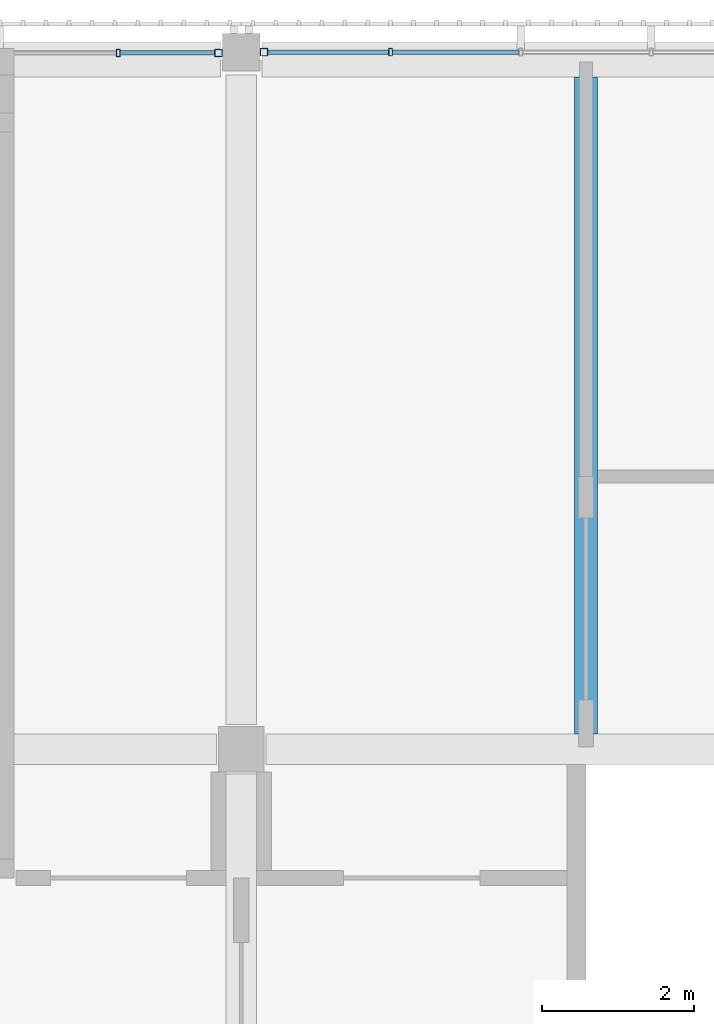
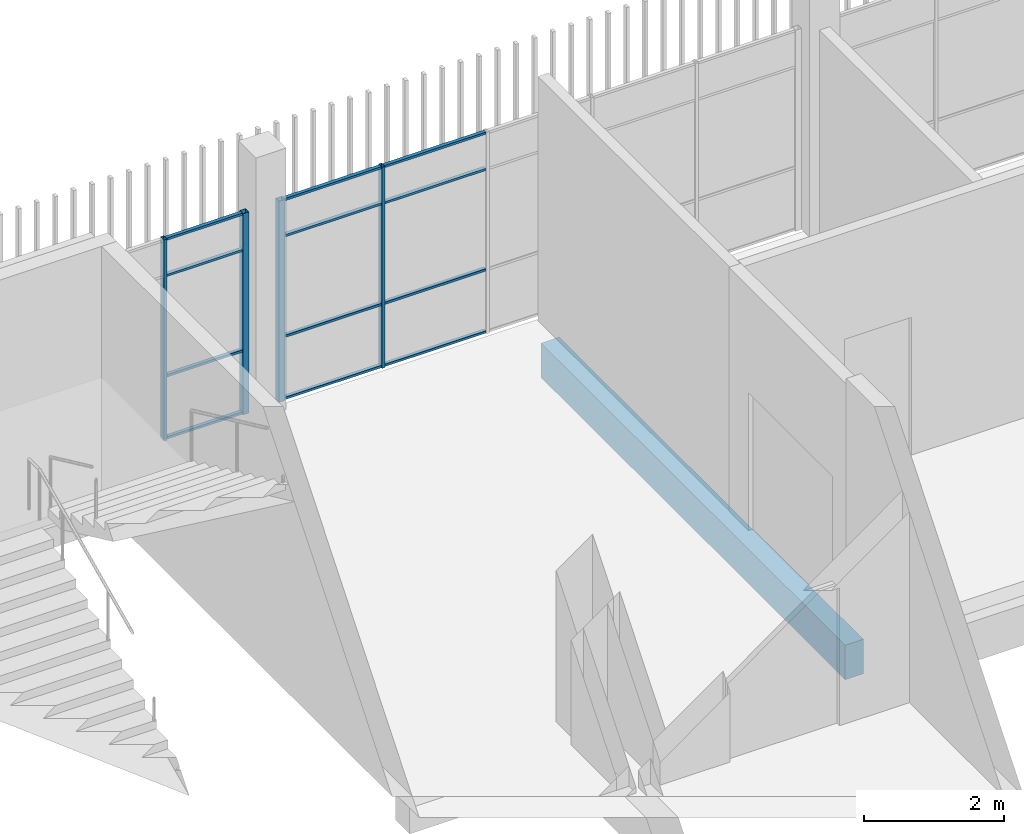
# One storey, part 32 of 124: 16 members, 1 beam, 2 elements without a shape of their own.
"""IFC4 building model written with IfcOpenShell, lengths in metres."""

from ifc_helpers import new_model, si_unit, direction, frame, origin, origin_2d, place, context, subcontext, project, spatial, rectangle, hollow_rectangle, extrude, material, layer, layer_set, material_profile, profile_set, type_object, element, aggregate, save


model = new_model("IFC4")

# Units and contexts
model_context = context("Model", 3, precision=1e-05, world=origin(), true_north=direction((0.0, 1.0)))
body_context = subcontext(model_context, "Body", "Model", "MODEL_VIEW")
ifc_project = project(units=[si_unit("LENGTHUNIT", "METRE"), si_unit("AREAUNIT", "SQUARE_METRE"), si_unit("VOLUMEUNIT", "CUBIC_METRE"), si_unit("PLANEANGLEUNIT", "RADIAN"), si_unit("MASSUNIT", "GRAM", prefix="KILO")], contexts=[model_context])

# Site, building, storey
site_placement = place(None, origin())
site = spatial("IfcSite", under=ifc_project, at=site_placement, CompositionType="ELEMENT")
building_placement = place(site_placement, origin())
building = spatial("IfcBuilding", under=site, at=building_placement, Name="Shirokan Park Arena", CompositionType="ELEMENT")
storey_placement = place(building_placement, frame((0.0, 0.0, 20.02001953125)))
storey = spatial("IfcBuildingStorey", under=building, at=storey_placement, Name="L04", CompositionType="ELEMENT", Elevation=20.02001953125)

# Curtain wall, member
ifc_material_1 = material(Name="Steel and glass curtain wall", Category="steel")
ifc_layer_1 = layer(ifc_material_1, 0.10009765625)
ifc_layer_set_1 = layer_set([ifc_layer_1], Name="Steel and glass curtain wall 100 mm")
curtain_wall_type_1 = type_object("IfcCurtainWallType", Name="Curtain wall sheltered bay 100", PredefinedType="NOTDEFINED", material=ifc_layer_set_1)
curtain_wall_1_placement = place(storey_placement, origin())
curtain_wall_1 = element("IfcCurtainWall", 1, at=curtain_wall_1_placement, inside=storey, type_object=curtain_wall_type_1, Name="Curtain wall north bay 12 L04", PredefinedType="NOTDEFINED")
ifc_material_2 = material(Name="Steel S355", Category="steel")
ifc_material_profile_1 = material_profile(ifc_material_2, hollow_rectangle(XDim=0.10009765625, YDim=0.10009765625, WallThickness=0.006103515625, at=origin_2d()), Name="RHS 100x100x6")
ifc_profile_set_1 = profile_set([ifc_material_profile_1], Name="Steel S355")
member_type_1 = type_object("IfcMemberType", Name="Mullion RHS 100x100x6", PredefinedType="MULLION", material=ifc_profile_set_1)
member_1_placement = place(storey_placement, frame((36.699951171875, 109.300048828125, 0.0), z_axis=(0.0, 0.0, 1.0), x_axis=(0.0, -1.0, 0.0)))
member_1 = element("IfcMember", 2, at=member_1_placement, type_object=member_type_1, Name="CW2 mullion 6", PredefinedType="MULLION", context=body_context, shape_type="SweptSolid", body=[
    extrude(hollow_rectangle(XDim=0.10009765625, YDim=0.10009765625, WallThickness=0.006103515625, at=origin_2d()), origin(), (0.0, 0.0, 1.0), 3.5),
])

ifc_layer_2 = layer(ifc_material_1, 0.1201171875)
ifc_layer_set_2 = layer_set([ifc_layer_2], Name="Steel and glass curtain wall 120 mm")
curtain_wall_type_2 = type_object("IfcCurtainWallType", Name="Curtain wall corner block side bay 120", PredefinedType="NOTDEFINED", material=ifc_layer_set_2)
curtain_wall_2_placement = place(storey_placement, origin())
curtain_wall_2 = element("IfcCurtainWall", 3, at=curtain_wall_2_placement, inside=storey, type_object=curtain_wall_type_2, Name="Curtain wall north bay 13 L04", PredefinedType="NOTDEFINED")
member_2_placement = place(storey_placement, frame((36.10009765625, 109.2900390625, 0.0), z_axis=(0.0, 0.0, 1.0), x_axis=(0.0, -1.0, 0.0)))
member_2 = element("IfcMember", 4, at=member_2_placement, type_object=member_type_1, Name="CW3 mullion 1", PredefinedType="MULLION", context=body_context, shape_type="SweptSolid", body=[
    extrude(hollow_rectangle(XDim=0.10009765625, YDim=0.10009765625, WallThickness=0.006103515625, at=origin_2d()), origin(), (0.0, 0.0, 1.0), 3.5),
])

# Member
ifc_material_profile_2 = material_profile(ifc_material_2, hollow_rectangle(XDim=0.10009765625, YDim=0.050048828125, WallThickness=0.0048828125, at=origin_2d()), Name="RHS 100x50x5")
ifc_profile_set_2 = profile_set([ifc_material_profile_2], Name="Steel S355")
member_type_2 = type_object("IfcMemberType", Name="Mullion RHS 100x50x5", PredefinedType="MULLION", material=ifc_profile_set_2)
member_3_placement = place(storey_placement, frame((38.3701171875, 109.300048828125, 0.0), z_axis=(0.0, 0.0, 1.0), x_axis=(0.0, -1.0, 0.0)))
member_3 = element("IfcMember", 5, at=member_3_placement, type_object=member_type_2, Name="CW2 mullion 5", PredefinedType="MULLION", context=body_context, shape_type="SweptSolid", body=[
    extrude(hollow_rectangle(XDim=0.10009765625, YDim=0.050048828125, WallThickness=0.0048828125, at=origin_2d()), origin(), (0.0, 0.0, 1.0), 3.5),
])

member_4_placement = place(storey_placement, frame((34.77490234375, 109.2900390625, 0.0), z_axis=(0.0, 0.0, 1.0), x_axis=(0.0, -1.0, 0.0)))
member_4 = element("IfcMember", 6, at=member_4_placement, type_object=member_type_2, Name="CW3 mullion 2", PredefinedType="MULLION", context=body_context, shape_type="SweptSolid", body=[
    extrude(hollow_rectangle(XDim=0.10009765625, YDim=0.050048828125, WallThickness=0.0048828125, at=origin_2d()), origin(), (0.0, 0.0, 1.0), 3.5),
])

# Beam
ifc_material_3 = material(Name="Concrete C35", Category="concrete")
ifc_material_profile_3 = material_profile(ifc_material_3, rectangle(XDim=0.300048828125, YDim=0.60009765625, at=origin_2d()), Name="300x600")
ifc_profile_set_3 = profile_set([ifc_material_profile_3], Name="Concrete C35")
beam_type = type_object("IfcBeamType", Name="RC joist 300x600", PredefinedType="JOIST", material=ifc_profile_set_3)
beam_placement = place(storey_placement, frame((40.949951171875, 100.300048828125, -0.550048828125), z_axis=(0.0, 1.0, 0.0), x_axis=(-1.0, 0.0, 0.0)))
element("IfcBeam", 7, at=beam_placement, inside=storey, type_object=beam_type, Name="Joist 6M L04", PredefinedType="JOIST", context=body_context, shape_type="SweptSolid", body=[
    extrude(rectangle(XDim=0.300048828125, YDim=0.60009765625, at=origin_2d()), origin(), (0.0, 0.0, 1.0), 8.675048828125),
])

# Member
ifc_material_profile_4 = material_profile(ifc_material_2, hollow_rectangle(XDim=0.06005859375, YDim=0.0400390625, WallThickness=0.00390625, at=origin_2d()), Name="RHS 60x40x4")
ifc_profile_set_4 = profile_set([ifc_material_profile_4], Name="Steel S355")
member_type_3 = type_object("IfcMemberType", Name="Transom RHS 60x40x4", PredefinedType="MULLION", material=ifc_profile_set_4)
member_5_placement = place(storey_placement, frame((40.06494140625, 109.300048828125, 0.02001953125), z_axis=(-1.0, 0.0, 0.0), x_axis=(0.0, -1.0, 0.0)))
member_5 = element("IfcMember", 8, at=member_5_placement, type_object=member_type_3, Name="CW2 transom 4.1", PredefinedType="MULLION", context=body_context, shape_type="SweptSolid", body=[
    extrude(hollow_rectangle(XDim=0.06005859375, YDim=0.0400390625, WallThickness=0.00390625, at=origin_2d()), origin(), (0.0, 0.0, 1.0), 1.669921875),
])

member_6_placement = place(storey_placement, frame((40.06494140625, 109.300048828125, 1.10009765625), z_axis=(-1.0, 0.0, 0.0), x_axis=(0.0, -1.0, 0.0)))
member_6 = element("IfcMember", 9, at=member_6_placement, type_object=member_type_3, Name="CW2 transom 4.2", PredefinedType="MULLION", context=body_context, shape_type="SweptSolid", body=[
    extrude(hollow_rectangle(XDim=0.06005859375, YDim=0.0400390625, WallThickness=0.00390625, at=origin_2d()), origin(), (0.0, 0.0, 1.0), 1.669921875),
])

member_7_placement = place(storey_placement, frame((40.06494140625, 109.300048828125, 2.85009765625), z_axis=(-1.0, 0.0, 0.0), x_axis=(0.0, -1.0, 0.0)))
member_7 = element("IfcMember", 10, at=member_7_placement, type_object=member_type_3, Name="CW2 transom 4.3", PredefinedType="MULLION", context=body_context, shape_type="SweptSolid", body=[
    extrude(hollow_rectangle(XDim=0.06005859375, YDim=0.0400390625, WallThickness=0.00390625, at=origin_2d()), origin(), (0.0, 0.0, 1.0), 1.669921875),
])

member_8_placement = place(storey_placement, frame((40.06494140625, 109.300048828125, 3.47998046875), z_axis=(-1.0, 0.0, 0.0), x_axis=(0.0, -1.0, 0.0)))
member_8 = element("IfcMember", 11, at=member_8_placement, type_object=member_type_3, Name="CW2 transom 4.4", PredefinedType="MULLION", context=body_context, shape_type="SweptSolid", body=[
    extrude(hollow_rectangle(XDim=0.06005859375, YDim=0.0400390625, WallThickness=0.00390625, at=origin_2d()), origin(), (0.0, 0.0, 1.0), 1.669921875),
])

member_9_placement = place(storey_placement, frame((38.344970703125, 109.300048828125, 0.02001953125), z_axis=(-1.0, 0.0, 0.0), x_axis=(0.0, -1.0, 0.0)))
member_9 = element("IfcMember", 12, at=member_9_placement, type_object=member_type_3, Name="CW2 transom 5.1", PredefinedType="MULLION", context=body_context, shape_type="SweptSolid", body=[
    extrude(hollow_rectangle(XDim=0.06005859375, YDim=0.0400390625, WallThickness=0.00390625, at=origin_2d()), origin(), (0.0, 0.0, 1.0), 1.594970703125),
])

member_10_placement = place(storey_placement, frame((38.344970703125, 109.300048828125, 1.10009765625), z_axis=(-1.0, 0.0, 0.0), x_axis=(0.0, -1.0, 0.0)))
member_10 = element("IfcMember", 13, at=member_10_placement, type_object=member_type_3, Name="CW2 transom 5.2", PredefinedType="MULLION", context=body_context, shape_type="SweptSolid", body=[
    extrude(hollow_rectangle(XDim=0.06005859375, YDim=0.0400390625, WallThickness=0.00390625, at=origin_2d()), origin(), (0.0, 0.0, 1.0), 1.594970703125),
])

member_11_placement = place(storey_placement, frame((38.344970703125, 109.300048828125, 2.85009765625), z_axis=(-1.0, 0.0, 0.0), x_axis=(0.0, -1.0, 0.0)))
member_11 = element("IfcMember", 14, at=member_11_placement, type_object=member_type_3, Name="CW2 transom 5.3", PredefinedType="MULLION", context=body_context, shape_type="SweptSolid", body=[
    extrude(hollow_rectangle(XDim=0.06005859375, YDim=0.0400390625, WallThickness=0.00390625, at=origin_2d()), origin(), (0.0, 0.0, 1.0), 1.594970703125),
])

member_12_placement = place(storey_placement, frame((38.344970703125, 109.300048828125, 3.47998046875), z_axis=(-1.0, 0.0, 0.0), x_axis=(0.0, -1.0, 0.0)))
member_12 = element("IfcMember", 15, at=member_12_placement, type_object=member_type_3, Name="CW2 transom 5.4", PredefinedType="MULLION", context=body_context, shape_type="SweptSolid", body=[
    extrude(hollow_rectangle(XDim=0.06005859375, YDim=0.0400390625, WallThickness=0.00390625, at=origin_2d()), origin(), (0.0, 0.0, 1.0), 1.594970703125),
])

aggregate(curtain_wall_1, [member_3, member_1, member_5, member_6, member_7, member_8, member_9, member_10, member_11, member_12])

member_13_placement = place(storey_placement, frame((36.050048828125, 109.2900390625, 0.02001953125), z_axis=(-1.0, 0.0, 0.0), x_axis=(0.0, -1.0, 0.0)))
member_13 = element("IfcMember", 16, at=member_13_placement, type_object=member_type_3, Name="CW3 transom 1.1", PredefinedType="MULLION", context=body_context, shape_type="SweptSolid", body=[
    extrude(hollow_rectangle(XDim=0.06005859375, YDim=0.0400390625, WallThickness=0.00390625, at=origin_2d()), origin(), (0.0, 0.0, 1.0), 1.25),
])

member_14_placement = place(storey_placement, frame((36.050048828125, 109.2900390625, 1.10009765625), z_axis=(-1.0, 0.0, 0.0), x_axis=(0.0, -1.0, 0.0)))
member_14 = element("IfcMember", 17, at=member_14_placement, type_object=member_type_3, Name="CW3 transom 1.2", PredefinedType="MULLION", context=body_context, shape_type="SweptSolid", body=[
    extrude(hollow_rectangle(XDim=0.06005859375, YDim=0.0400390625, WallThickness=0.00390625, at=origin_2d()), origin(), (0.0, 0.0, 1.0), 1.25),
])

member_15_placement = place(storey_placement, frame((36.050048828125, 109.2900390625, 2.85009765625), z_axis=(-1.0, 0.0, 0.0), x_axis=(0.0, -1.0, 0.0)))
member_15 = element("IfcMember", 18, at=member_15_placement, type_object=member_type_3, Name="CW3 transom 1.3", PredefinedType="MULLION", context=body_context, shape_type="SweptSolid", body=[
    extrude(hollow_rectangle(XDim=0.06005859375, YDim=0.0400390625, WallThickness=0.00390625, at=origin_2d()), origin(), (0.0, 0.0, 1.0), 1.25),
])

member_16_placement = place(storey_placement, frame((36.050048828125, 109.2900390625, 3.47998046875), z_axis=(-1.0, 0.0, 0.0), x_axis=(0.0, -1.0, 0.0)))
member_16 = element("IfcMember", 19, at=member_16_placement, type_object=member_type_3, Name="CW3 transom 1.4", PredefinedType="MULLION", context=body_context, shape_type="SweptSolid", body=[
    extrude(hollow_rectangle(XDim=0.06005859375, YDim=0.0400390625, WallThickness=0.00390625, at=origin_2d()), origin(), (0.0, 0.0, 1.0), 1.25),
])

aggregate(curtain_wall_2, [member_2, member_4, member_13, member_14, member_15, member_16])

save(model, "model.ifc")
